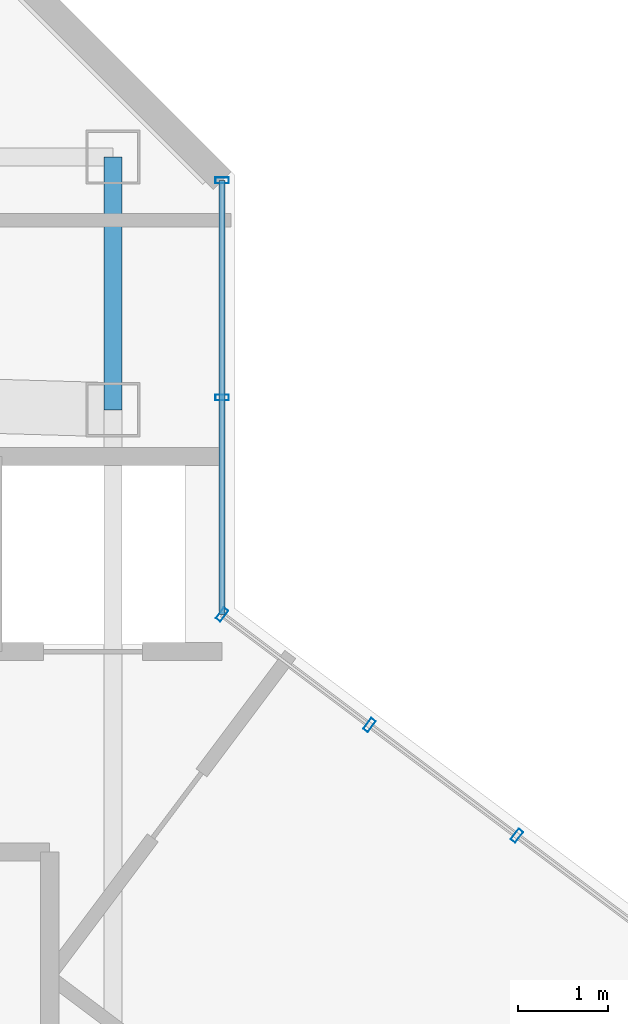
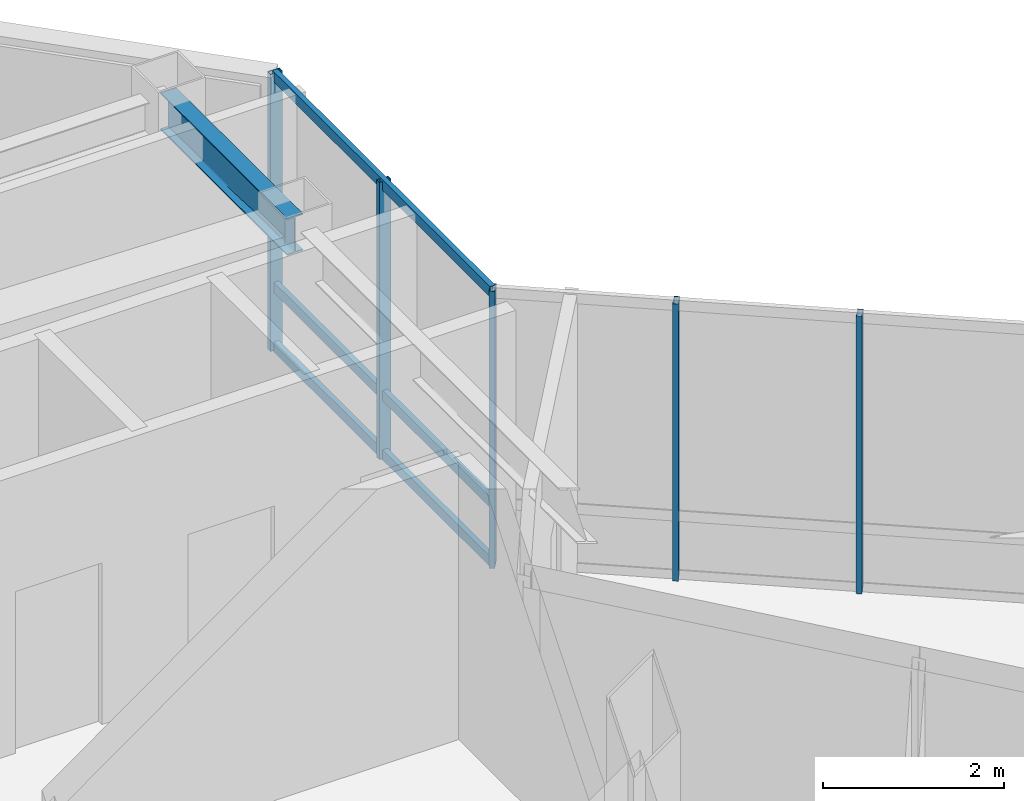
# One storey, part 20 of 31: 8 members, 1 beam, 2 elements without a shape of their own.
"""IFC4 building model written with IfcOpenShell, lengths in metres."""

import ifcopenshell
import ifcopenshell.guid

model = None  # the IFC model being written
_history = None  # IfcOwnerHistory: only IFC2X3 demands one
_inside = {}  # id of a spatial element -> (the spatial element, [elements in it])
_under = {}  # id of a project, library or spatial element -> (it, [spatial elements below it])
_declared = {}  # id of a project -> (the project, [libraries it declares])
_typed = {}  # id of a type object -> (the type object, [elements of that type])
_made_of = {}  # id of a material, layer set ... -> (it, [elements and type objects made of it])


def new_model(schema):
    """Start an empty IFC model of exactly this schema.

    Asked for "IFC4X3", IfcOpenShell would pick the latest addendum, in which some entities
    have other attributes; the version numbers below select the first issue.
    IFC2X3 requires an IfcOwnerHistory on every rooted entity: one is made here for all.
    """
    global model, _history
    if schema == "IFC4X3":
        model = ifcopenshell.file(schema_version=(4, 3, 0, 0))
    else:
        model = ifcopenshell.file(schema=schema)
    _inside.clear()
    _under.clear()
    _declared.clear()
    _typed.clear()
    _made_of.clear()
    _history = None
    if model.schema == "IFC2X3":
        org = make("IfcOrganization", Name="unknown")
        user = make(
            "IfcPersonAndOrganization",
            ThePerson=make("IfcPerson", FamilyName="unknown"),
            TheOrganization=org,
        )
        app = make(
            "IfcApplication",
            ApplicationDeveloper=org,
            Version="unknown",
            ApplicationFullName="unknown",
            ApplicationIdentifier="unknown",
        )
        _history = make(
            "IfcOwnerHistory",
            OwningUser=user,
            OwningApplication=app,
            ChangeAction="ADDED",
            CreationDate=0,
        )
    return model


def make(cls, **values):
    """One entity of the class cls with the attributes given. An attribute that is None is left unset."""
    return model.create_entity(
        cls, **{name: value for name, value in values.items() if value is not None}
    )


def rooted(cls, **values):
    """An entity with a GlobalId (a new one), such as an element, a storey or a relation."""
    return make(cls, GlobalId=ifcopenshell.guid.new(), OwnerHistory=_history, **values)


def si_unit(unit_type, name, prefix=None):
    """IfcSIUnit, for example si_unit("LENGTHUNIT", "METRE", prefix="MILLI")."""
    return make("IfcSIUnit", UnitType=unit_type, Prefix=prefix, Name=name)


def assignment(units):
    """IfcUnitAssignment: the units of a project."""
    return None if units is None else make("IfcUnitAssignment", Units=units)


def point(xyz):
    """IfcCartesianPoint."""
    return None if xyz is None else make("IfcCartesianPoint", Coordinates=xyz)


def direction(xyz):
    """IfcDirection."""
    return None if xyz is None else make("IfcDirection", DirectionRatios=xyz)


def frame(location, z_axis=None, x_axis=None):
    """IfcAxis2Placement3D, a coordinate frame: its origin and axes. An axis left out is left unset."""
    return make(
        "IfcAxis2Placement3D",
        Location=point(location),
        Axis=direction(z_axis),
        RefDirection=direction(x_axis),
    )


def frame_2d(location, x_axis=None):
    """IfcAxis2Placement2D, a coordinate frame in the plane: its origin and x axis."""
    return make(
        "IfcAxis2Placement2D", Location=point(location), RefDirection=direction(x_axis)
    )


def origin():
    """The frame at (0, 0, 0) with its axes left unset."""
    return frame((0.0, 0.0, 0.0))


def origin_2d():
    """The frame at (0, 0) in the plane with its x axis left unset."""
    return frame_2d((0.0, 0.0))


def place(relative_to, where):
    """IfcLocalPlacement: puts the frame where relative to a parent placement (None: the world)."""
    return make(
        "IfcLocalPlacement", PlacementRelTo=relative_to, RelativePlacement=where
    )


def context(
    kind, dimensions, precision=None, world=None, true_north=None, identifier=None
):
    """IfcGeometricRepresentationContext, for example the 3D "Model" context."""
    return make(
        "IfcGeometricRepresentationContext",
        ContextIdentifier=identifier,
        ContextType=kind,
        CoordinateSpaceDimension=dimensions,
        Precision=precision,
        WorldCoordinateSystem=world,
        TrueNorth=true_north,
    )


def subcontext(parent, identifier, kind, view, scale=None):
    """IfcGeometricRepresentationSubContext, for example "Body" below "Model"."""
    return make(
        "IfcGeometricRepresentationSubContext",
        ContextIdentifier=identifier,
        ContextType=kind,
        ParentContext=parent,
        TargetScale=scale,
        TargetView=view,
    )


def project(units=None, contexts=None):
    """IfcProject with its units and contexts."""
    return rooted(
        "IfcProject",
        Name="project",
        RepresentationContexts=contexts,
        UnitsInContext=assignment(units),
    )


def spatial(cls, under=None, at=None, **own):
    """A site, building, storey or space (cls), placed at a placement, below another one or the project."""
    s = rooted(cls, ObjectPlacement=at, **own)
    if under is not None:
        _under.setdefault(under.id(), (under, []))[1].append(s)
    return s


def profile(cls, at=None, kind="AREA", **sizes):
    """A parametric profile (cls). Its sizes go by their IFC names, for example OverallWidth=200.0."""
    return make(cls, ProfileType=kind, Position=at, **sizes)


def hollow_rectangle(**sizes):
    """IfcRectangleHollowProfileDef."""
    return profile("IfcRectangleHollowProfileDef", **sizes)


def i_section(**sizes):
    """IfcIShapeProfileDef."""
    return profile("IfcIShapeProfileDef", **sizes)


def extrude(swept, where, along, depth):
    """IfcExtrudedAreaSolid: the profile swept, set in the frame where, extruded along a direction by depth."""
    return make(
        "IfcExtrudedAreaSolid",
        SweptArea=swept,
        Position=where,
        ExtrudedDirection=direction(along),
        Depth=depth,
    )


def shape(context_of_items, identifier, shape_type, items):
    """IfcShapeRepresentation: the items that make up one representation, for example the "Body"."""
    return make(
        "IfcShapeRepresentation",
        ContextOfItems=context_of_items,
        RepresentationIdentifier=identifier,
        RepresentationType=shape_type,
        Items=items,
    )


def material(Name=None, Category=None):
    """IfcMaterial."""
    return make("IfcMaterial", Name=Name, Category=Category)


def layer(
    of_material, thickness, ventilated=None, Name=None, Category=None, Priority=None
):
    """IfcMaterialLayer: one layer of a wall or slab, of a material (None: an air gap)."""
    return make(
        "IfcMaterialLayer",
        Material=of_material,
        LayerThickness=thickness,
        IsVentilated=ventilated,
        Name=Name,
        Category=Category,
        Priority=Priority,
    )


def layer_set(layers, Name=None):
    """IfcMaterialLayerSet."""
    return make("IfcMaterialLayerSet", MaterialLayers=layers, LayerSetName=Name)


def material_profile(
    of_material, cross_section, Name=None, Category=None, Priority=None
):
    """IfcMaterialProfile: a cross section and its material."""
    return make(
        "IfcMaterialProfile",
        Name=Name,
        Material=of_material,
        Profile=cross_section,
        Priority=Priority,
        Category=Category,
    )


def profile_set(profiles, Name=None, composite=None):
    """IfcMaterialProfileSet."""
    return make(
        "IfcMaterialProfileSet",
        Name=Name,
        MaterialProfiles=profiles,
        CompositeProfile=composite,
    )


def made_of(thing, what):
    """Note that an element or type object is made of a material, layer set ...; save() writes the relation."""
    if what is not None:
        _made_of.setdefault(what.id(), (what, []))[1].append(thing)
    return thing


def type_object(cls, material=None, **own):
    """A type object (cls), such as IfcWallType, which elements share."""
    return made_of(rooted(cls, **own), material)


def element(
    cls,
    number,
    at=None,
    inside=None,
    cuts=None,
    type_object=None,
    material=None,
    context=None,
    identifier="Body",
    shape_type=None,
    held_by="IfcProductDefinitionShape",
    body=None,
    shapes=None,
    **own,
):
    """One element of the class cls, such as IfcWall. Its Tag is "e" and its number.

    at: its placement. inside: the storey or other place that contains it. cuts: it is an
    opening in that element (IfcRelVoidsElement). A single representation is given by context,
    identifier, shape_type and body (its items); several are given by shapes. held_by: the class
    of the entity that holds the representations. save() writes the other relations.
    """
    e = rooted(cls, Tag="e%d" % number, ObjectPlacement=at, **own)
    if body is not None:
        shapes = [shape(context, identifier, shape_type, body)]
    if shapes is not None:
        e.Representation = make(held_by, Representations=shapes)
    if inside is not None:
        _inside.setdefault(inside.id(), (inside, []))[1].append(e)
    if cuts is not None:
        rooted(
            "IfcRelVoidsElement", RelatingBuildingElement=cuts, RelatedOpeningElement=e
        )
    if type_object is not None:
        _typed.setdefault(type_object.id(), (type_object, []))[1].append(e)
    return made_of(e, material)


def aggregate(whole, parts):
    """IfcRelAggregates: a whole, such as a stair, and the parts it consists of."""
    return rooted("IfcRelAggregates", RelatingObject=whole, RelatedObjects=parts)


def save(model, path):
    """Write the relations noted so far, then the file.

    IfcRelAggregates (storeys below a building ...), IfcRelContainedInSpatialStructure (elements
    in a storey), IfcRelDefinesByType, IfcRelAssociatesMaterial and IfcRelDeclares: one each for
    every whole, place, type object, material and project.
    """
    for whole, parts in _under.values():
        aggregate(whole, parts)
    for where, things in _inside.values():
        rooted(
            "IfcRelContainedInSpatialStructure",
            RelatedElements=things,
            RelatingStructure=where,
        )
    for kind, things in _typed.values():
        rooted("IfcRelDefinesByType", RelatedObjects=things, RelatingType=kind)
    for what, things in _made_of.values():
        rooted("IfcRelAssociatesMaterial", RelatedObjects=things, RelatingMaterial=what)
    for by, libraries in _declared.values():
        rooted("IfcRelDeclares", RelatingContext=by, RelatedDefinitions=libraries)
    model.write(path)


model = new_model("IFC4")

# Units and contexts
model_context = context("Model", 3, precision=1e-05, world=origin(), true_north=direction((0.0, 1.0)))
body_context = subcontext(model_context, "Body", "Model", "MODEL_VIEW")
ifc_project = project(units=[si_unit("LENGTHUNIT", "METRE"), si_unit("AREAUNIT", "SQUARE_METRE"), si_unit("VOLUMEUNIT", "CUBIC_METRE"), si_unit("PLANEANGLEUNIT", "RADIAN"), si_unit("MASSUNIT", "GRAM", prefix="KILO")], contexts=[model_context])

# Site, building, storey
site_placement = place(None, origin())
site = spatial("IfcSite", under=ifc_project, at=site_placement, CompositionType="ELEMENT")
building_placement = place(site_placement, origin())
building = spatial("IfcBuilding", under=site, at=building_placement, Name="Hatsunagi Terrace Concourse", CompositionType="ELEMENT")
storey_placement = place(building_placement, frame((0.0, 0.0, 269.949951171875)))
storey = spatial("IfcBuildingStorey", under=building, at=storey_placement, Name="L71", CompositionType="ELEMENT", Elevation=269.949951171875)

# Beam
ifc_material_1 = material(Name="Steel SN490B", Category="steel")
ifc_material_profile_1 = material_profile(ifc_material_1, i_section(OverallWidth=0.199951171875, OverallDepth=0.5, WebThickness=0.010009765625, FlangeThickness=0.01611328125, FilletRadius=0.01611328125, at=origin_2d()), Name="H-500x200x10x16")
ifc_profile_set_1 = profile_set([ifc_material_profile_1], Name="Steel SN490B")
beam_type = type_object("IfcBeamType", Name="CrownFloorGirder_H_500x200", PredefinedType="BEAM", material=ifc_profile_set_1)
beam_placement = place(storey_placement, frame((43.64990234375, 43.0, 3.5), z_axis=(0.0, 1.0, 0.0), x_axis=(-1.0, 0.0, 0.0)))
element("IfcBeam", 1, at=beam_placement, inside=storey, type_object=beam_type, Name="Beam G-07 BM-L71-CN3", PredefinedType="BEAM", context=body_context, shape_type="SweptSolid", body=[
    extrude(i_section(OverallWidth=0.199951171875, OverallDepth=0.5, WebThickness=0.010009765625, FlangeThickness=0.01611328125, FilletRadius=0.01611328125, at=origin_2d()), origin(), (0.0, 0.0, 1.0), 2.800048828125),
])

# Curtain wall, members
ifc_material_2 = material(Name="Anodised Aluminium Alloy 6063-T5", Category="aluminium")
ifc_layer = layer(ifc_material_2, 0.199951171875)
ifc_layer_set = layer_set([ifc_layer], Name="CrownWintergarden_CW06")
curtain_wall_type = type_object("IfcCurtainWallType", Name="CrownWintergarden_CW06", PredefinedType="NOTDEFINED", material=ifc_layer_set)
curtain_wall_1_placement = place(storey_placement, origin())
curtain_wall_1 = element("IfcCurtainWall", 2, at=curtain_wall_1_placement, inside=storey, type_object=curtain_wall_type, Name="Unitised Curtain Wall CW-06 CW-L71-01", PredefinedType="NOTDEFINED")
ifc_material_3 = material(Name="Anodised Aluminium Alloy 6063-T5", Category="aluminium")
ifc_material_profile_2 = material_profile(ifc_material_3, hollow_rectangle(XDim=0.06494140625, YDim=0.14990234375, WallThickness=0.00390625, at=origin_2d()), Name="ALU-MUL-150x65x4")
ifc_profile_set_2 = profile_set([ifc_material_profile_2], Name="Anodised Aluminium Alloy 6063-T5")
member_type_1 = type_object("IfcMemberType", Name="CurtainWallMullion_Crown_150x65", PredefinedType="MULLION", material=ifc_profile_set_2)
member_1_placement = place(storey_placement, frame((44.860107421875, 40.72998046875, 0.0), z_axis=(0.0, 0.0, 1.0), x_axis=(0.800023013105, -0.599969314634, 0.0)))
member_1 = element("IfcMember", 3, at=member_1_placement, type_object=member_type_1, Name="Curtain Wall Mullion MUL-03", PredefinedType="MULLION", context=body_context, shape_type="SweptSolid", body=[
    extrude(hollow_rectangle(XDim=0.06494140625, YDim=0.14990234375, WallThickness=0.00390625, at=origin_2d()), origin(), (0.0, 0.0, 1.0), 3.739990234375),
])
member_2_placement = place(storey_placement, frame((46.493896484375, 39.5048828125, 0.0), z_axis=(0.0, 0.0, 1.0), x_axis=(0.800023013105, -0.599969314634, 0.0)))
member_2 = element("IfcMember", 4, at=member_2_placement, type_object=member_type_1, Name="Curtain Wall Mullion MUL-03", PredefinedType="MULLION", context=body_context, shape_type="SweptSolid", body=[
    extrude(hollow_rectangle(XDim=0.06494140625, YDim=0.14990234375, WallThickness=0.00390625, at=origin_2d()), origin(), (0.0, 0.0, 1.0), 3.739990234375),
])
member_3_placement = place(storey_placement, frame((48.1279296875, 38.279052734375, 0.0), z_axis=(0.0, 0.0, 1.0), x_axis=(0.800023013105, -0.599969314634, 0.0)))
member_3 = element("IfcMember", 5, at=member_3_placement, type_object=member_type_1, Name="Curtain Wall Mullion MUL-03", PredefinedType="MULLION", context=body_context, shape_type="SweptSolid", body=[
    extrude(hollow_rectangle(XDim=0.06494140625, YDim=0.14990234375, WallThickness=0.00390625, at=origin_2d()), origin(), (0.0, 0.0, 1.0), 3.739990234375),
])
aggregate(curtain_wall_1, [member_1, member_2, member_3])

curtain_wall_2_placement = place(storey_placement, origin())
curtain_wall_2 = element("IfcCurtainWall", 6, at=curtain_wall_2_placement, inside=storey, type_object=curtain_wall_type, Name="Unitised Curtain Wall CW-06 CW-L71-12", PredefinedType="NOTDEFINED")
member_4_placement = place(storey_placement, frame((44.860107421875, 45.5419921875, 0.0), z_axis=(0.0, 0.0, 1.0), x_axis=(0.0, -1.0, 0.0)))
member_4 = element("IfcMember", 7, at=member_4_placement, type_object=member_type_1, Name="Curtain Wall Mullion MUL-03", PredefinedType="MULLION", context=body_context, shape_type="SweptSolid", body=[
    extrude(hollow_rectangle(XDim=0.06494140625, YDim=0.14990234375, WallThickness=0.00390625, at=origin_2d()), origin(), (0.0, 0.0, 1.0), 3.739990234375),
])
member_5_placement = place(storey_placement, frame((44.860107421875, 43.135986328125, 0.0), z_axis=(0.0, 0.0, 1.0), x_axis=(0.0, -1.0, 0.0)))
member_5 = element("IfcMember", 8, at=member_5_placement, type_object=member_type_1, Name="Curtain Wall Mullion MUL-03", PredefinedType="MULLION", context=body_context, shape_type="SweptSolid", body=[
    extrude(hollow_rectangle(XDim=0.06494140625, YDim=0.14990234375, WallThickness=0.00390625, at=origin_2d()), origin(), (0.0, 0.0, 1.0), 3.739990234375),
])
ifc_material_4 = material(Name="Anodised Aluminium Alloy 6063-T5", Category="aluminium")
ifc_material_profile_3 = material_profile(ifc_material_4, hollow_rectangle(XDim=0.06494140625, YDim=0.139892578125, WallThickness=0.00390625, at=origin_2d()), Name="ALU-TRN-140x65x4")
ifc_profile_set_3 = profile_set([ifc_material_profile_3], Name="Anodised Aluminium Alloy 6063-T5")
member_type_2 = type_object("IfcMemberType", Name="CurtainWallTransom_140x65", PredefinedType="USERDEFINED", material=ifc_profile_set_3)
member_6_placement = place(storey_placement, frame((44.860107421875, 45.5419921875, 0.050048828125), z_axis=(0.0, -1.0, 0.0), x_axis=(1.0, 0.0, 0.0)))
member_6 = element("IfcMember", 9, at=member_6_placement, type_object=member_type_2, Name="Curtain Wall Transom TRN-02", ObjectType="TRANSOM", PredefinedType="USERDEFINED", context=body_context, shape_type="SweptSolid", body=[
    extrude(hollow_rectangle(XDim=0.06494140625, YDim=0.139892578125, WallThickness=0.00390625, at=origin_2d()), origin(), (0.0, 0.0, 1.0), 4.81201171875),
])
member_7_placement = place(storey_placement, frame((44.860107421875, 45.5419921875, 0.85009765625), z_axis=(0.0, -1.0, 0.0), x_axis=(1.0, 0.0, 0.0)))
member_7 = element("IfcMember", 10, at=member_7_placement, type_object=member_type_2, Name="Curtain Wall Transom TRN-02", ObjectType="TRANSOM", PredefinedType="USERDEFINED", context=body_context, shape_type="SweptSolid", body=[
    extrude(hollow_rectangle(XDim=0.06494140625, YDim=0.139892578125, WallThickness=0.00390625, at=origin_2d()), origin(), (0.0, 0.0, 1.0), 4.81201171875),
])
member_8_placement = place(storey_placement, frame((44.860107421875, 45.5419921875, 3.68994140625), z_axis=(0.0, -1.0, 0.0), x_axis=(1.0, 0.0, 0.0)))
member_8 = element("IfcMember", 11, at=member_8_placement, type_object=member_type_2, Name="Curtain Wall Transom TRN-02", ObjectType="TRANSOM", PredefinedType="USERDEFINED", context=body_context, shape_type="SweptSolid", body=[
    extrude(hollow_rectangle(XDim=0.06494140625, YDim=0.139892578125, WallThickness=0.00390625, at=origin_2d()), origin(), (0.0, 0.0, 1.0), 4.81201171875),
])
aggregate(curtain_wall_2, [member_4, member_5, member_6, member_7, member_8])

save(model, "model.ifc")
